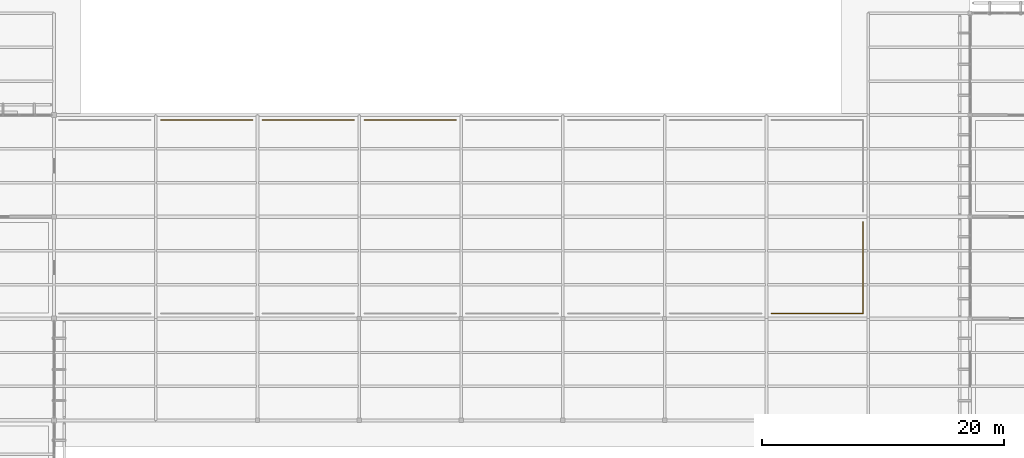
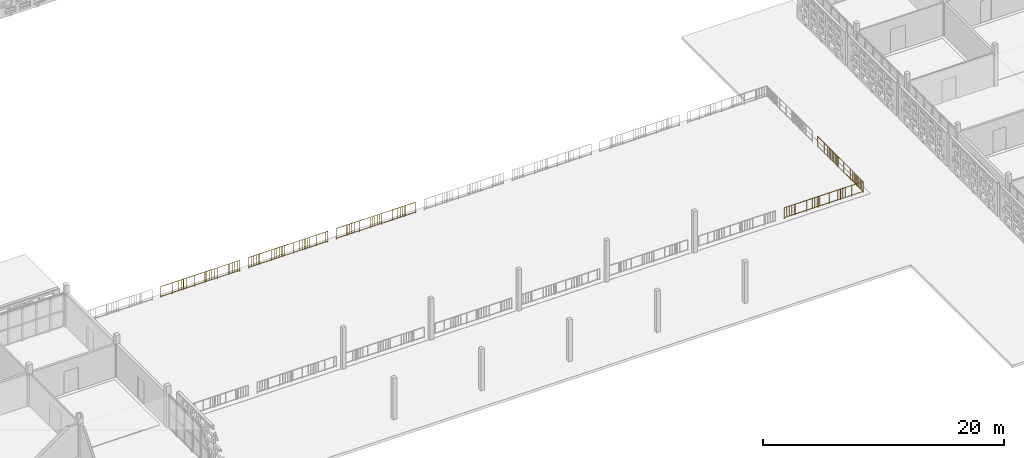
# One storey, part 126 of 166: 5 railings.
"""IFC4 building model written with IfcOpenShell, lengths in metres."""

from ifc_helpers import new_model, si_unit, direction, frame, origin, origin_2d, place, context, subcontext, project, spatial, circle, extrude, material, type_object, element, save


model = new_model("IFC4")

# Units and contexts
model_context = context("Model", 3, precision=1e-05, world=origin(), true_north=direction((0.0, 1.0)))
body_context = subcontext(model_context, "Body", "Model", "MODEL_VIEW")
ifc_project = project(units=[si_unit("LENGTHUNIT", "METRE"), si_unit("AREAUNIT", "SQUARE_METRE"), si_unit("VOLUMEUNIT", "CUBIC_METRE"), si_unit("PLANEANGLEUNIT", "RADIAN"), si_unit("MASSUNIT", "GRAM", prefix="KILO")], contexts=[model_context])

# Site, building, storey
site_placement = place(None, origin())
site = spatial("IfcSite", under=ifc_project, at=site_placement, CompositionType="ELEMENT")
building_placement = place(site_placement, origin())
building = spatial("IfcBuilding", under=site, at=building_placement, Name="Varnapada Polytechnic", CompositionType="ELEMENT")
storey_placement = place(building_placement, frame((0.0, 0.0, 9.60009765625)))
storey = spatial("IfcBuildingStorey", under=building, at=storey_placement, Name="L02", CompositionType="ELEMENT", Elevation=9.60009765625)

# Railings
ifc_material = material(Name="Painted galvanized steel", Category="steel")
railing_type = type_object("IfcRailingType", Name="Terrace Guard Rail GRD-01", PredefinedType="BALUSTRADE", material=ifc_material)
railing_1_placement = place(storey_placement, frame((67.6201171875, 41.580078125, 0.0)))
element("IfcRailing", 1, at=railing_1_placement, inside=storey, type_object=railing_type, Name="L02 terrace perimeter guard rail 4", PredefinedType="BALUSTRADE", context=body_context, shape_type="SweptSolid", body=[
    extrude(circle(Radius=0.02392578125, at=origin_2d()), frame((0.0, 0.0, 1.09619140625), z_axis=(1.0, 0.0, 0.0), x_axis=(0.0, 1.0, 0.0)), (0.0, 0.0, 1.0), 7.559814453125),
    extrude(circle(Radius=0.02392578125, at=origin_2d()), frame((0.0, 0.0, 0.10009765625), z_axis=(1.0, 0.0, 0.0), x_axis=(0.0, 1.0, 0.0)), (0.0, 0.0, 1.0), 7.559814453125),
    extrude(circle(Radius=0.02099609375, at=origin_2d()), origin(), (0.0, 0.0, 1.0), 1.072021484375),
    extrude(circle(Radius=0.02099609375, at=origin_2d()), frame((1.080078125, 0.0, 0.0)), (0.0, 0.0, 1.0), 1.072021484375),
    extrude(circle(Radius=0.02099609375, at=origin_2d()), frame((2.159912109375, 0.0, 0.0)), (0.0, 0.0, 1.0), 1.072021484375),
    extrude(circle(Radius=0.02099609375, at=origin_2d()), frame((3.239990234375, 0.0, 0.0)), (0.0, 0.0, 1.0), 1.072021484375),
    extrude(circle(Radius=0.02099609375, at=origin_2d()), frame((4.31982421875, 0.0, 0.0)), (0.0, 0.0, 1.0), 1.072021484375),
    extrude(circle(Radius=0.02099609375, at=origin_2d()), frame((5.39990234375, 0.0, 0.0)), (0.0, 0.0, 1.0), 1.072021484375),
    extrude(circle(Radius=0.02099609375, at=origin_2d()), frame((6.479736328125, 0.0, 0.0)), (0.0, 0.0, 1.0), 1.072021484375),
    extrude(circle(Radius=0.02099609375, at=origin_2d()), frame((7.559814453125, 0.0, 0.0)), (0.0, 0.0, 1.0), 1.072021484375),
    extrude(circle(Radius=0.010009765625, at=origin_2d()), frame((0.243896484375, 0.0, 0.10009765625)), (0.0, 0.0, 1.0), 0.971923828125),
    extrude(circle(Radius=0.010009765625, at=origin_2d()), frame((0.48779296875, 0.0, 0.10009765625)), (0.0, 0.0, 1.0), 0.971923828125),
    extrude(circle(Radius=0.010009765625, at=origin_2d()), frame((0.731689453125, 0.0, 0.10009765625)), (0.0, 0.0, 1.0), 0.971923828125),
    extrude(circle(Radius=0.010009765625, at=origin_2d()), frame((0.975341796875, 0.0, 0.10009765625)), (0.0, 0.0, 1.0), 0.971923828125),
    extrude(circle(Radius=0.010009765625, at=origin_2d()), frame((1.21923828125, 0.0, 0.10009765625)), (0.0, 0.0, 1.0), 0.971923828125),
    extrude(circle(Radius=0.010009765625, at=origin_2d()), frame((1.463134765625, 0.0, 0.10009765625)), (0.0, 0.0, 1.0), 0.971923828125),
    extrude(circle(Radius=0.010009765625, at=origin_2d()), frame((1.70703125, 0.0, 0.10009765625)), (0.0, 0.0, 1.0), 0.971923828125),
    extrude(circle(Radius=0.010009765625, at=origin_2d()), frame((1.950927734375, 0.0, 0.10009765625)), (0.0, 0.0, 1.0), 0.971923828125),
    extrude(circle(Radius=0.010009765625, at=origin_2d()), frame((2.19482421875, 0.0, 0.10009765625)), (0.0, 0.0, 1.0), 0.971923828125),
    extrude(circle(Radius=0.010009765625, at=origin_2d()), frame((2.438720703125, 0.0, 0.10009765625)), (0.0, 0.0, 1.0), 0.971923828125),
    extrude(circle(Radius=0.010009765625, at=origin_2d()), frame((2.6826171875, 0.0, 0.10009765625)), (0.0, 0.0, 1.0), 0.971923828125),
    extrude(circle(Radius=0.010009765625, at=origin_2d()), frame((2.92626953125, 0.0, 0.10009765625)), (0.0, 0.0, 1.0), 0.971923828125),
    extrude(circle(Radius=0.010009765625, at=origin_2d()), frame((3.170166015625, 0.0, 0.10009765625)), (0.0, 0.0, 1.0), 0.971923828125),
    extrude(circle(Radius=0.010009765625, at=origin_2d()), frame((3.4140625, 0.0, 0.10009765625)), (0.0, 0.0, 1.0), 0.971923828125),
    extrude(circle(Radius=0.010009765625, at=origin_2d()), frame((3.657958984375, 0.0, 0.10009765625)), (0.0, 0.0, 1.0), 0.971923828125),
    extrude(circle(Radius=0.010009765625, at=origin_2d()), frame((3.90185546875, 0.0, 0.10009765625)), (0.0, 0.0, 1.0), 0.971923828125),
    extrude(circle(Radius=0.010009765625, at=origin_2d()), frame((4.145751953125, 0.0, 0.10009765625)), (0.0, 0.0, 1.0), 0.971923828125),
    extrude(circle(Radius=0.010009765625, at=origin_2d()), frame((4.3896484375, 0.0, 0.10009765625)), (0.0, 0.0, 1.0), 0.971923828125),
    extrude(circle(Radius=0.010009765625, at=origin_2d()), frame((4.633544921875, 0.0, 0.10009765625)), (0.0, 0.0, 1.0), 0.971923828125),
    extrude(circle(Radius=0.010009765625, at=origin_2d()), frame((4.877197265625, 0.0, 0.10009765625)), (0.0, 0.0, 1.0), 0.971923828125),
    extrude(circle(Radius=0.010009765625, at=origin_2d()), frame((5.12109375, 0.0, 0.10009765625)), (0.0, 0.0, 1.0), 0.971923828125),
    extrude(circle(Radius=0.010009765625, at=origin_2d()), frame((5.364990234375, 0.0, 0.10009765625)), (0.0, 0.0, 1.0), 0.971923828125),
    extrude(circle(Radius=0.010009765625, at=origin_2d()), frame((5.60888671875, 0.0, 0.10009765625)), (0.0, 0.0, 1.0), 0.971923828125),
    extrude(circle(Radius=0.010009765625, at=origin_2d()), frame((5.852783203125, 0.0, 0.10009765625)), (0.0, 0.0, 1.0), 0.971923828125),
    extrude(circle(Radius=0.010009765625, at=origin_2d()), frame((6.0966796875, 0.0, 0.10009765625)), (0.0, 0.0, 1.0), 0.971923828125),
    extrude(circle(Radius=0.010009765625, at=origin_2d()), frame((6.340576171875, 0.0, 0.10009765625)), (0.0, 0.0, 1.0), 0.971923828125),
    extrude(circle(Radius=0.010009765625, at=origin_2d()), frame((6.58447265625, 0.0, 0.10009765625)), (0.0, 0.0, 1.0), 0.971923828125),
    extrude(circle(Radius=0.010009765625, at=origin_2d()), frame((6.828125, 0.0, 0.10009765625)), (0.0, 0.0, 1.0), 0.971923828125),
    extrude(circle(Radius=0.010009765625, at=origin_2d()), frame((7.072021484375, 0.0, 0.10009765625)), (0.0, 0.0, 1.0), 0.971923828125),
    extrude(circle(Radius=0.010009765625, at=origin_2d()), frame((7.31591796875, 0.0, 0.10009765625)), (0.0, 0.0, 1.0), 0.971923828125),
])
railing_2_placement = place(storey_placement, frame((76.02001953125, 41.580078125, 0.0)))
element("IfcRailing", 2, at=railing_2_placement, inside=storey, type_object=railing_type, Name="L02 terrace perimeter guard rail 6", PredefinedType="BALUSTRADE", context=body_context, shape_type="SweptSolid", body=[
    extrude(circle(Radius=0.02392578125, at=origin_2d()), frame((0.0, 0.0, 1.09619140625), z_axis=(1.0, 0.0, 0.0), x_axis=(0.0, 1.0, 0.0)), (0.0, 0.0, 1.0), 7.56005859375),
    extrude(circle(Radius=0.02392578125, at=origin_2d()), frame((0.0, 0.0, 0.10009765625), z_axis=(1.0, 0.0, 0.0), x_axis=(0.0, 1.0, 0.0)), (0.0, 0.0, 1.0), 7.56005859375),
    extrude(circle(Radius=0.02099609375, at=origin_2d()), origin(), (0.0, 0.0, 1.0), 1.072021484375),
    extrude(circle(Radius=0.02099609375, at=origin_2d()), frame((1.080078125, 0.0, 0.0)), (0.0, 0.0, 1.0), 1.072021484375),
    extrude(circle(Radius=0.02099609375, at=origin_2d()), frame((2.159912109375, 0.0, 0.0)), (0.0, 0.0, 1.0), 1.072021484375),
    extrude(circle(Radius=0.02099609375, at=origin_2d()), frame((3.239990234375, 0.0, 0.0)), (0.0, 0.0, 1.0), 1.072021484375),
    extrude(circle(Radius=0.02099609375, at=origin_2d()), frame((4.320068359375, 0.0, 0.0)), (0.0, 0.0, 1.0), 1.072021484375),
    extrude(circle(Radius=0.02099609375, at=origin_2d()), frame((5.400146484375, 0.0, 0.0)), (0.0, 0.0, 1.0), 1.072021484375),
    extrude(circle(Radius=0.02099609375, at=origin_2d()), frame((6.47998046875, 0.0, 0.0)), (0.0, 0.0, 1.0), 1.072021484375),
    extrude(circle(Radius=0.02099609375, at=origin_2d()), frame((7.56005859375, 0.0, 0.0)), (0.0, 0.0, 1.0), 1.072021484375),
    extrude(circle(Radius=0.010009765625, at=origin_2d()), frame((0.243896484375, 0.0, 0.10009765625)), (0.0, 0.0, 1.0), 0.971923828125),
    extrude(circle(Radius=0.010009765625, at=origin_2d()), frame((0.48779296875, 0.0, 0.10009765625)), (0.0, 0.0, 1.0), 0.971923828125),
    extrude(circle(Radius=0.010009765625, at=origin_2d()), frame((0.731689453125, 0.0, 0.10009765625)), (0.0, 0.0, 1.0), 0.971923828125),
    extrude(circle(Radius=0.010009765625, at=origin_2d()), frame((0.9755859375, 0.0, 0.10009765625)), (0.0, 0.0, 1.0), 0.971923828125),
    extrude(circle(Radius=0.010009765625, at=origin_2d()), frame((1.219482421875, 0.0, 0.10009765625)), (0.0, 0.0, 1.0), 0.971923828125),
    extrude(circle(Radius=0.010009765625, at=origin_2d()), frame((1.463134765625, 0.0, 0.10009765625)), (0.0, 0.0, 1.0), 0.971923828125),
    extrude(circle(Radius=0.010009765625, at=origin_2d()), frame((1.70703125, 0.0, 0.10009765625)), (0.0, 0.0, 1.0), 0.971923828125),
    extrude(circle(Radius=0.010009765625, at=origin_2d()), frame((1.950927734375, 0.0, 0.10009765625)), (0.0, 0.0, 1.0), 0.971923828125),
    extrude(circle(Radius=0.010009765625, at=origin_2d()), frame((2.19482421875, 0.0, 0.10009765625)), (0.0, 0.0, 1.0), 0.971923828125),
    extrude(circle(Radius=0.010009765625, at=origin_2d()), frame((2.438720703125, 0.0, 0.10009765625)), (0.0, 0.0, 1.0), 0.971923828125),
    extrude(circle(Radius=0.010009765625, at=origin_2d()), frame((2.6826171875, 0.0, 0.10009765625)), (0.0, 0.0, 1.0), 0.971923828125),
    extrude(circle(Radius=0.010009765625, at=origin_2d()), frame((2.926513671875, 0.0, 0.10009765625)), (0.0, 0.0, 1.0), 0.971923828125),
    extrude(circle(Radius=0.010009765625, at=origin_2d()), frame((3.17041015625, 0.0, 0.10009765625)), (0.0, 0.0, 1.0), 0.971923828125),
    extrude(circle(Radius=0.010009765625, at=origin_2d()), frame((3.414306640625, 0.0, 0.10009765625)), (0.0, 0.0, 1.0), 0.971923828125),
    extrude(circle(Radius=0.010009765625, at=origin_2d()), frame((3.658203125, 0.0, 0.10009765625)), (0.0, 0.0, 1.0), 0.971923828125),
    extrude(circle(Radius=0.010009765625, at=origin_2d()), frame((3.90185546875, 0.0, 0.10009765625)), (0.0, 0.0, 1.0), 0.971923828125),
    extrude(circle(Radius=0.010009765625, at=origin_2d()), frame((4.145751953125, 0.0, 0.10009765625)), (0.0, 0.0, 1.0), 0.971923828125),
    extrude(circle(Radius=0.010009765625, at=origin_2d()), frame((4.3896484375, 0.0, 0.10009765625)), (0.0, 0.0, 1.0), 0.971923828125),
    extrude(circle(Radius=0.010009765625, at=origin_2d()), frame((4.633544921875, 0.0, 0.10009765625)), (0.0, 0.0, 1.0), 0.971923828125),
    extrude(circle(Radius=0.010009765625, at=origin_2d()), frame((4.87744140625, 0.0, 0.10009765625)), (0.0, 0.0, 1.0), 0.971923828125),
    extrude(circle(Radius=0.010009765625, at=origin_2d()), frame((5.121337890625, 0.0, 0.10009765625)), (0.0, 0.0, 1.0), 0.971923828125),
    extrude(circle(Radius=0.010009765625, at=origin_2d()), frame((5.365234375, 0.0, 0.10009765625)), (0.0, 0.0, 1.0), 0.971923828125),
    extrude(circle(Radius=0.010009765625, at=origin_2d()), frame((5.609130859375, 0.0, 0.10009765625)), (0.0, 0.0, 1.0), 0.971923828125),
    extrude(circle(Radius=0.010009765625, at=origin_2d()), frame((5.85302734375, 0.0, 0.10009765625)), (0.0, 0.0, 1.0), 0.971923828125),
    extrude(circle(Radius=0.010009765625, at=origin_2d()), frame((6.096923828125, 0.0, 0.10009765625)), (0.0, 0.0, 1.0), 0.971923828125),
    extrude(circle(Radius=0.010009765625, at=origin_2d()), frame((6.340576171875, 0.0, 0.10009765625)), (0.0, 0.0, 1.0), 0.971923828125),
    extrude(circle(Radius=0.010009765625, at=origin_2d()), frame((6.58447265625, 0.0, 0.10009765625)), (0.0, 0.0, 1.0), 0.971923828125),
    extrude(circle(Radius=0.010009765625, at=origin_2d()), frame((6.828369140625, 0.0, 0.10009765625)), (0.0, 0.0, 1.0), 0.971923828125),
    extrude(circle(Radius=0.010009765625, at=origin_2d()), frame((7.072265625, 0.0, 0.10009765625)), (0.0, 0.0, 1.0), 0.971923828125),
    extrude(circle(Radius=0.010009765625, at=origin_2d()), frame((7.316162109375, 0.0, 0.10009765625)), (0.0, 0.0, 1.0), 0.971923828125),
])
railing_3_placement = place(storey_placement, frame((84.419921875, 41.580078125, 0.0)))
element("IfcRailing", 3, at=railing_3_placement, inside=storey, type_object=railing_type, Name="L02 terrace perimeter guard rail 8", PredefinedType="BALUSTRADE", context=body_context, shape_type="SweptSolid", body=[
    extrude(circle(Radius=0.02392578125, at=origin_2d()), frame((0.0, 0.0, 1.09619140625), z_axis=(1.0, 0.0, 0.0), x_axis=(0.0, 1.0, 0.0)), (0.0, 0.0, 1.0), 7.56005859375),
    extrude(circle(Radius=0.02392578125, at=origin_2d()), frame((0.0, 0.0, 0.10009765625), z_axis=(1.0, 0.0, 0.0), x_axis=(0.0, 1.0, 0.0)), (0.0, 0.0, 1.0), 7.56005859375),
    extrude(circle(Radius=0.02099609375, at=origin_2d()), origin(), (0.0, 0.0, 1.0), 1.072021484375),
    extrude(circle(Radius=0.02099609375, at=origin_2d()), frame((1.080078125, 0.0, 0.0)), (0.0, 0.0, 1.0), 1.072021484375),
    extrude(circle(Radius=0.02099609375, at=origin_2d()), frame((2.159912109375, 0.0, 0.0)), (0.0, 0.0, 1.0), 1.072021484375),
    extrude(circle(Radius=0.02099609375, at=origin_2d()), frame((3.239990234375, 0.0, 0.0)), (0.0, 0.0, 1.0), 1.072021484375),
    extrude(circle(Radius=0.02099609375, at=origin_2d()), frame((4.320068359375, 0.0, 0.0)), (0.0, 0.0, 1.0), 1.072021484375),
    extrude(circle(Radius=0.02099609375, at=origin_2d()), frame((5.400146484375, 0.0, 0.0)), (0.0, 0.0, 1.0), 1.072021484375),
    extrude(circle(Radius=0.02099609375, at=origin_2d()), frame((6.47998046875, 0.0, 0.0)), (0.0, 0.0, 1.0), 1.072021484375),
    extrude(circle(Radius=0.02099609375, at=origin_2d()), frame((7.56005859375, 0.0, 0.0)), (0.0, 0.0, 1.0), 1.072021484375),
    extrude(circle(Radius=0.010009765625, at=origin_2d()), frame((0.243896484375, 0.0, 0.10009765625)), (0.0, 0.0, 1.0), 0.971923828125),
    extrude(circle(Radius=0.010009765625, at=origin_2d()), frame((0.48779296875, 0.0, 0.10009765625)), (0.0, 0.0, 1.0), 0.971923828125),
    extrude(circle(Radius=0.010009765625, at=origin_2d()), frame((0.731689453125, 0.0, 0.10009765625)), (0.0, 0.0, 1.0), 0.971923828125),
    extrude(circle(Radius=0.010009765625, at=origin_2d()), frame((0.9755859375, 0.0, 0.10009765625)), (0.0, 0.0, 1.0), 0.971923828125),
    extrude(circle(Radius=0.010009765625, at=origin_2d()), frame((1.219482421875, 0.0, 0.10009765625)), (0.0, 0.0, 1.0), 0.971923828125),
    extrude(circle(Radius=0.010009765625, at=origin_2d()), frame((1.463134765625, 0.0, 0.10009765625)), (0.0, 0.0, 1.0), 0.971923828125),
    extrude(circle(Radius=0.010009765625, at=origin_2d()), frame((1.70703125, 0.0, 0.10009765625)), (0.0, 0.0, 1.0), 0.971923828125),
    extrude(circle(Radius=0.010009765625, at=origin_2d()), frame((1.950927734375, 0.0, 0.10009765625)), (0.0, 0.0, 1.0), 0.971923828125),
    extrude(circle(Radius=0.010009765625, at=origin_2d()), frame((2.19482421875, 0.0, 0.10009765625)), (0.0, 0.0, 1.0), 0.971923828125),
    extrude(circle(Radius=0.010009765625, at=origin_2d()), frame((2.438720703125, 0.0, 0.10009765625)), (0.0, 0.0, 1.0), 0.971923828125),
    extrude(circle(Radius=0.010009765625, at=origin_2d()), frame((2.6826171875, 0.0, 0.10009765625)), (0.0, 0.0, 1.0), 0.971923828125),
    extrude(circle(Radius=0.010009765625, at=origin_2d()), frame((2.926513671875, 0.0, 0.10009765625)), (0.0, 0.0, 1.0), 0.971923828125),
    extrude(circle(Radius=0.010009765625, at=origin_2d()), frame((3.17041015625, 0.0, 0.10009765625)), (0.0, 0.0, 1.0), 0.971923828125),
    extrude(circle(Radius=0.010009765625, at=origin_2d()), frame((3.414306640625, 0.0, 0.10009765625)), (0.0, 0.0, 1.0), 0.971923828125),
    extrude(circle(Radius=0.010009765625, at=origin_2d()), frame((3.658203125, 0.0, 0.10009765625)), (0.0, 0.0, 1.0), 0.971923828125),
    extrude(circle(Radius=0.010009765625, at=origin_2d()), frame((3.90185546875, 0.0, 0.10009765625)), (0.0, 0.0, 1.0), 0.971923828125),
    extrude(circle(Radius=0.010009765625, at=origin_2d()), frame((4.145751953125, 0.0, 0.10009765625)), (0.0, 0.0, 1.0), 0.971923828125),
    extrude(circle(Radius=0.010009765625, at=origin_2d()), frame((4.3896484375, 0.0, 0.10009765625)), (0.0, 0.0, 1.0), 0.971923828125),
    extrude(circle(Radius=0.010009765625, at=origin_2d()), frame((4.633544921875, 0.0, 0.10009765625)), (0.0, 0.0, 1.0), 0.971923828125),
    extrude(circle(Radius=0.010009765625, at=origin_2d()), frame((4.87744140625, 0.0, 0.10009765625)), (0.0, 0.0, 1.0), 0.971923828125),
    extrude(circle(Radius=0.010009765625, at=origin_2d()), frame((5.121337890625, 0.0, 0.10009765625)), (0.0, 0.0, 1.0), 0.971923828125),
    extrude(circle(Radius=0.010009765625, at=origin_2d()), frame((5.365234375, 0.0, 0.10009765625)), (0.0, 0.0, 1.0), 0.971923828125),
    extrude(circle(Radius=0.010009765625, at=origin_2d()), frame((5.609130859375, 0.0, 0.10009765625)), (0.0, 0.0, 1.0), 0.971923828125),
    extrude(circle(Radius=0.010009765625, at=origin_2d()), frame((5.85302734375, 0.0, 0.10009765625)), (0.0, 0.0, 1.0), 0.971923828125),
    extrude(circle(Radius=0.010009765625, at=origin_2d()), frame((6.096923828125, 0.0, 0.10009765625)), (0.0, 0.0, 1.0), 0.971923828125),
    extrude(circle(Radius=0.010009765625, at=origin_2d()), frame((6.340576171875, 0.0, 0.10009765625)), (0.0, 0.0, 1.0), 0.971923828125),
    extrude(circle(Radius=0.010009765625, at=origin_2d()), frame((6.58447265625, 0.0, 0.10009765625)), (0.0, 0.0, 1.0), 0.971923828125),
    extrude(circle(Radius=0.010009765625, at=origin_2d()), frame((6.828369140625, 0.0, 0.10009765625)), (0.0, 0.0, 1.0), 0.971923828125),
    extrude(circle(Radius=0.010009765625, at=origin_2d()), frame((7.072265625, 0.0, 0.10009765625)), (0.0, 0.0, 1.0), 0.971923828125),
    extrude(circle(Radius=0.010009765625, at=origin_2d()), frame((7.316162109375, 0.0, 0.10009765625)), (0.0, 0.0, 1.0), 0.971923828125),
])
railing_4_placement = place(storey_placement, frame((118.02001953125, 25.6201171875, 0.0)))
element("IfcRailing", 4, at=railing_4_placement, inside=storey, type_object=railing_type, Name="L02 terrace perimeter guard rail 15", PredefinedType="BALUSTRADE", context=body_context, shape_type="SweptSolid", body=[
    extrude(circle(Radius=0.02392578125, at=origin_2d()), frame((0.0, 0.0, 1.09619140625), z_axis=(1.0, 0.0, 0.0), x_axis=(0.0, 1.0, 0.0)), (0.0, 0.0, 1.0), 7.56005859375),
    extrude(circle(Radius=0.02392578125, at=origin_2d()), frame((0.0, 0.0, 0.10009765625), z_axis=(1.0, 0.0, 0.0), x_axis=(0.0, 1.0, 0.0)), (0.0, 0.0, 1.0), 7.56005859375),
    extrude(circle(Radius=0.02099609375, at=origin_2d()), origin(), (0.0, 0.0, 1.0), 1.072021484375),
    extrude(circle(Radius=0.02099609375, at=origin_2d()), frame((1.080078125, 0.0, 0.0)), (0.0, 0.0, 1.0), 1.072021484375),
    extrude(circle(Radius=0.02099609375, at=origin_2d()), frame((2.159912109375, 0.0, 0.0)), (0.0, 0.0, 1.0), 1.072021484375),
    extrude(circle(Radius=0.02099609375, at=origin_2d()), frame((3.239990234375, 0.0, 0.0)), (0.0, 0.0, 1.0), 1.072021484375),
    extrude(circle(Radius=0.02099609375, at=origin_2d()), frame((4.320068359375, 0.0, 0.0)), (0.0, 0.0, 1.0), 1.072021484375),
    extrude(circle(Radius=0.02099609375, at=origin_2d()), frame((5.400146484375, 0.0, 0.0)), (0.0, 0.0, 1.0), 1.072021484375),
    extrude(circle(Radius=0.02099609375, at=origin_2d()), frame((6.47998046875, 0.0, 0.0)), (0.0, 0.0, 1.0), 1.072021484375),
    extrude(circle(Radius=0.02099609375, at=origin_2d()), frame((7.56005859375, 0.0, 0.0)), (0.0, 0.0, 1.0), 1.072021484375),
    extrude(circle(Radius=0.010009765625, at=origin_2d()), frame((0.243896484375, 0.0, 0.10009765625)), (0.0, 0.0, 1.0), 0.971923828125),
    extrude(circle(Radius=0.010009765625, at=origin_2d()), frame((0.48779296875, 0.0, 0.10009765625)), (0.0, 0.0, 1.0), 0.971923828125),
    extrude(circle(Radius=0.010009765625, at=origin_2d()), frame((0.731689453125, 0.0, 0.10009765625)), (0.0, 0.0, 1.0), 0.971923828125),
    extrude(circle(Radius=0.010009765625, at=origin_2d()), frame((0.9755859375, 0.0, 0.10009765625)), (0.0, 0.0, 1.0), 0.971923828125),
    extrude(circle(Radius=0.010009765625, at=origin_2d()), frame((1.219482421875, 0.0, 0.10009765625)), (0.0, 0.0, 1.0), 0.971923828125),
    extrude(circle(Radius=0.010009765625, at=origin_2d()), frame((1.463134765625, 0.0, 0.10009765625)), (0.0, 0.0, 1.0), 0.971923828125),
    extrude(circle(Radius=0.010009765625, at=origin_2d()), frame((1.70703125, 0.0, 0.10009765625)), (0.0, 0.0, 1.0), 0.971923828125),
    extrude(circle(Radius=0.010009765625, at=origin_2d()), frame((1.950927734375, 0.0, 0.10009765625)), (0.0, 0.0, 1.0), 0.971923828125),
    extrude(circle(Radius=0.010009765625, at=origin_2d()), frame((2.19482421875, 0.0, 0.10009765625)), (0.0, 0.0, 1.0), 0.971923828125),
    extrude(circle(Radius=0.010009765625, at=origin_2d()), frame((2.438720703125, 0.0, 0.10009765625)), (0.0, 0.0, 1.0), 0.971923828125),
    extrude(circle(Radius=0.010009765625, at=origin_2d()), frame((2.6826171875, 0.0, 0.10009765625)), (0.0, 0.0, 1.0), 0.971923828125),
    extrude(circle(Radius=0.010009765625, at=origin_2d()), frame((2.926513671875, 0.0, 0.10009765625)), (0.0, 0.0, 1.0), 0.971923828125),
    extrude(circle(Radius=0.010009765625, at=origin_2d()), frame((3.17041015625, 0.0, 0.10009765625)), (0.0, 0.0, 1.0), 0.971923828125),
    extrude(circle(Radius=0.010009765625, at=origin_2d()), frame((3.414306640625, 0.0, 0.10009765625)), (0.0, 0.0, 1.0), 0.971923828125),
    extrude(circle(Radius=0.010009765625, at=origin_2d()), frame((3.658203125, 0.0, 0.10009765625)), (0.0, 0.0, 1.0), 0.971923828125),
    extrude(circle(Radius=0.010009765625, at=origin_2d()), frame((3.90185546875, 0.0, 0.10009765625)), (0.0, 0.0, 1.0), 0.971923828125),
    extrude(circle(Radius=0.010009765625, at=origin_2d()), frame((4.145751953125, 0.0, 0.10009765625)), (0.0, 0.0, 1.0), 0.971923828125),
    extrude(circle(Radius=0.010009765625, at=origin_2d()), frame((4.3896484375, 0.0, 0.10009765625)), (0.0, 0.0, 1.0), 0.971923828125),
    extrude(circle(Radius=0.010009765625, at=origin_2d()), frame((4.633544921875, 0.0, 0.10009765625)), (0.0, 0.0, 1.0), 0.971923828125),
    extrude(circle(Radius=0.010009765625, at=origin_2d()), frame((4.87744140625, 0.0, 0.10009765625)), (0.0, 0.0, 1.0), 0.971923828125),
    extrude(circle(Radius=0.010009765625, at=origin_2d()), frame((5.121337890625, 0.0, 0.10009765625)), (0.0, 0.0, 1.0), 0.971923828125),
    extrude(circle(Radius=0.010009765625, at=origin_2d()), frame((5.365234375, 0.0, 0.10009765625)), (0.0, 0.0, 1.0), 0.971923828125),
    extrude(circle(Radius=0.010009765625, at=origin_2d()), frame((5.609130859375, 0.0, 0.10009765625)), (0.0, 0.0, 1.0), 0.971923828125),
    extrude(circle(Radius=0.010009765625, at=origin_2d()), frame((5.85302734375, 0.0, 0.10009765625)), (0.0, 0.0, 1.0), 0.971923828125),
    extrude(circle(Radius=0.010009765625, at=origin_2d()), frame((6.096923828125, 0.0, 0.10009765625)), (0.0, 0.0, 1.0), 0.971923828125),
    extrude(circle(Radius=0.010009765625, at=origin_2d()), frame((6.340576171875, 0.0, 0.10009765625)), (0.0, 0.0, 1.0), 0.971923828125),
    extrude(circle(Radius=0.010009765625, at=origin_2d()), frame((6.58447265625, 0.0, 0.10009765625)), (0.0, 0.0, 1.0), 0.971923828125),
    extrude(circle(Radius=0.010009765625, at=origin_2d()), frame((6.828369140625, 0.0, 0.10009765625)), (0.0, 0.0, 1.0), 0.971923828125),
    extrude(circle(Radius=0.010009765625, at=origin_2d()), frame((7.072265625, 0.0, 0.10009765625)), (0.0, 0.0, 1.0), 0.971923828125),
    extrude(circle(Radius=0.010009765625, at=origin_2d()), frame((7.316162109375, 0.0, 0.10009765625)), (0.0, 0.0, 1.0), 0.971923828125),
])
railing_5_placement = place(storey_placement, frame((125.580078125, 25.6201171875, 0.0)))
element("IfcRailing", 5, at=railing_5_placement, inside=storey, type_object=railing_type, Name="L02 terrace perimeter guard rail 16", PredefinedType="BALUSTRADE", context=body_context, shape_type="SweptSolid", body=[
    extrude(circle(Radius=0.02392578125, at=origin_2d()), frame((0.0, 0.0, 1.09619140625), z_axis=(0.0, 1.0, 0.0), x_axis=(-1.0, 0.0, 0.0)), (0.0, 0.0, 1.0), 7.559814453125),
    extrude(circle(Radius=0.02392578125, at=origin_2d()), frame((0.0, 0.0, 0.10009765625), z_axis=(0.0, 1.0, 0.0), x_axis=(-1.0, 0.0, 0.0)), (0.0, 0.0, 1.0), 7.559814453125),
    extrude(circle(Radius=0.02099609375, at=origin_2d()), origin(), (0.0, 0.0, 1.0), 1.072021484375),
    extrude(circle(Radius=0.02099609375, at=origin_2d()), frame((0.0, 1.080078125, 0.0)), (0.0, 0.0, 1.0), 1.072021484375),
    extrude(circle(Radius=0.02099609375, at=origin_2d()), frame((0.0, 2.159912109375, 0.0)), (0.0, 0.0, 1.0), 1.072021484375),
    extrude(circle(Radius=0.02099609375, at=origin_2d()), frame((0.0, 3.239990234375, 0.0)), (0.0, 0.0, 1.0), 1.072021484375),
    extrude(circle(Radius=0.02099609375, at=origin_2d()), frame((0.0, 4.31982421875, 0.0)), (0.0, 0.0, 1.0), 1.072021484375),
    extrude(circle(Radius=0.02099609375, at=origin_2d()), frame((0.0, 5.39990234375, 0.0)), (0.0, 0.0, 1.0), 1.072021484375),
    extrude(circle(Radius=0.02099609375, at=origin_2d()), frame((0.0, 6.479736328125, 0.0)), (0.0, 0.0, 1.0), 1.072021484375),
    extrude(circle(Radius=0.02099609375, at=origin_2d()), frame((0.0, 7.559814453125, 0.0)), (0.0, 0.0, 1.0), 1.072021484375),
    extrude(circle(Radius=0.010009765625, at=origin_2d()), frame((0.0, 0.243896484375, 0.10009765625)), (0.0, 0.0, 1.0), 0.971923828125),
    extrude(circle(Radius=0.010009765625, at=origin_2d()), frame((0.0, 0.48779296875, 0.10009765625)), (0.0, 0.0, 1.0), 0.971923828125),
    extrude(circle(Radius=0.010009765625, at=origin_2d()), frame((0.0, 0.731689453125, 0.10009765625)), (0.0, 0.0, 1.0), 0.971923828125),
    extrude(circle(Radius=0.010009765625, at=origin_2d()), frame((0.0, 0.975341796875, 0.10009765625)), (0.0, 0.0, 1.0), 0.971923828125),
    extrude(circle(Radius=0.010009765625, at=origin_2d()), frame((0.0, 1.21923828125, 0.10009765625)), (0.0, 0.0, 1.0), 0.971923828125),
    extrude(circle(Radius=0.010009765625, at=origin_2d()), frame((0.0, 1.463134765625, 0.10009765625)), (0.0, 0.0, 1.0), 0.971923828125),
    extrude(circle(Radius=0.010009765625, at=origin_2d()), frame((0.0, 1.70703125, 0.10009765625)), (0.0, 0.0, 1.0), 0.971923828125),
    extrude(circle(Radius=0.010009765625, at=origin_2d()), frame((0.0, 1.950927734375, 0.10009765625)), (0.0, 0.0, 1.0), 0.971923828125),
    extrude(circle(Radius=0.010009765625, at=origin_2d()), frame((0.0, 2.19482421875, 0.10009765625)), (0.0, 0.0, 1.0), 0.971923828125),
    extrude(circle(Radius=0.010009765625, at=origin_2d()), frame((0.0, 2.438720703125, 0.10009765625)), (0.0, 0.0, 1.0), 0.971923828125),
    extrude(circle(Radius=0.010009765625, at=origin_2d()), frame((0.0, 2.6826171875, 0.10009765625)), (0.0, 0.0, 1.0), 0.971923828125),
    extrude(circle(Radius=0.010009765625, at=origin_2d()), frame((0.0, 2.92626953125, 0.10009765625)), (0.0, 0.0, 1.0), 0.971923828125),
    extrude(circle(Radius=0.010009765625, at=origin_2d()), frame((0.0, 3.170166015625, 0.10009765625)), (0.0, 0.0, 1.0), 0.971923828125),
    extrude(circle(Radius=0.010009765625, at=origin_2d()), frame((0.0, 3.4140625, 0.10009765625)), (0.0, 0.0, 1.0), 0.971923828125),
    extrude(circle(Radius=0.010009765625, at=origin_2d()), frame((0.0, 3.657958984375, 0.10009765625)), (0.0, 0.0, 1.0), 0.971923828125),
    extrude(circle(Radius=0.010009765625, at=origin_2d()), frame((0.0, 3.90185546875, 0.10009765625)), (0.0, 0.0, 1.0), 0.971923828125),
    extrude(circle(Radius=0.010009765625, at=origin_2d()), frame((0.0, 4.145751953125, 0.10009765625)), (0.0, 0.0, 1.0), 0.971923828125),
    extrude(circle(Radius=0.010009765625, at=origin_2d()), frame((0.0, 4.3896484375, 0.10009765625)), (0.0, 0.0, 1.0), 0.971923828125),
    extrude(circle(Radius=0.010009765625, at=origin_2d()), frame((0.0, 4.633544921875, 0.10009765625)), (0.0, 0.0, 1.0), 0.971923828125),
    extrude(circle(Radius=0.010009765625, at=origin_2d()), frame((0.0, 4.877197265625, 0.10009765625)), (0.0, 0.0, 1.0), 0.971923828125),
    extrude(circle(Radius=0.010009765625, at=origin_2d()), frame((0.0, 5.12109375, 0.10009765625)), (0.0, 0.0, 1.0), 0.971923828125),
    extrude(circle(Radius=0.010009765625, at=origin_2d()), frame((0.0, 5.364990234375, 0.10009765625)), (0.0, 0.0, 1.0), 0.971923828125),
    extrude(circle(Radius=0.010009765625, at=origin_2d()), frame((0.0, 5.60888671875, 0.10009765625)), (0.0, 0.0, 1.0), 0.971923828125),
    extrude(circle(Radius=0.010009765625, at=origin_2d()), frame((0.0, 5.852783203125, 0.10009765625)), (0.0, 0.0, 1.0), 0.971923828125),
    extrude(circle(Radius=0.010009765625, at=origin_2d()), frame((0.0, 6.0966796875, 0.10009765625)), (0.0, 0.0, 1.0), 0.971923828125),
    extrude(circle(Radius=0.010009765625, at=origin_2d()), frame((0.0, 6.340576171875, 0.10009765625)), (0.0, 0.0, 1.0), 0.971923828125),
    extrude(circle(Radius=0.010009765625, at=origin_2d()), frame((0.0, 6.58447265625, 0.10009765625)), (0.0, 0.0, 1.0), 0.971923828125),
    extrude(circle(Radius=0.010009765625, at=origin_2d()), frame((0.0, 6.828125, 0.10009765625)), (0.0, 0.0, 1.0), 0.971923828125),
    extrude(circle(Radius=0.010009765625, at=origin_2d()), frame((0.0, 7.072021484375, 0.10009765625)), (0.0, 0.0, 1.0), 0.971923828125),
    extrude(circle(Radius=0.010009765625, at=origin_2d()), frame((0.0, 7.31591796875, 0.10009765625)), (0.0, 0.0, 1.0), 0.971923828125),
])

save(model, "model.ifc")
